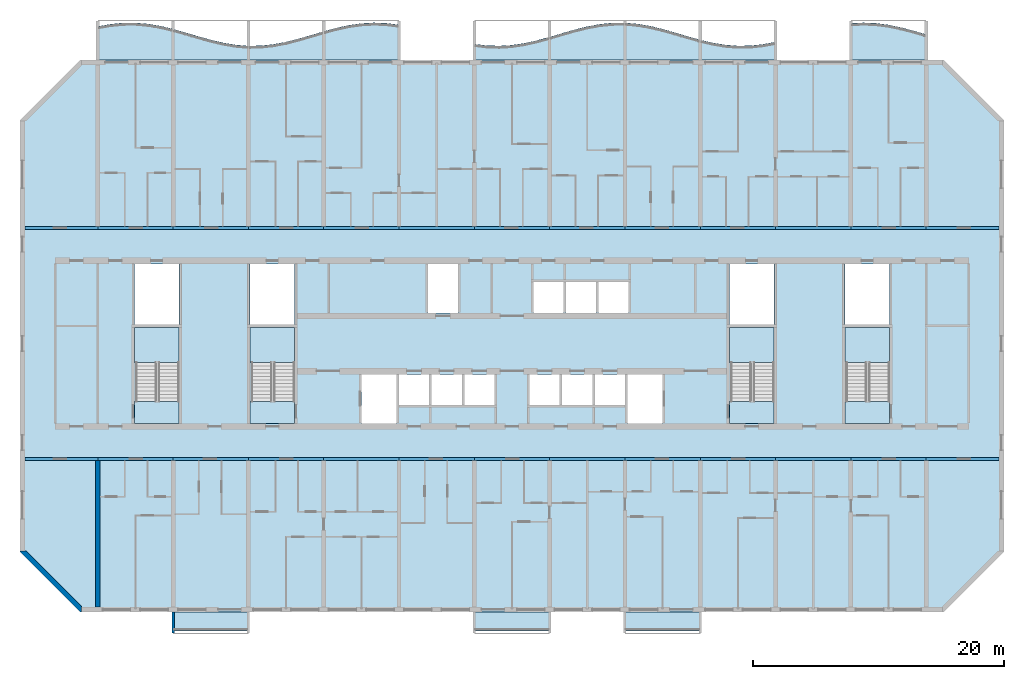
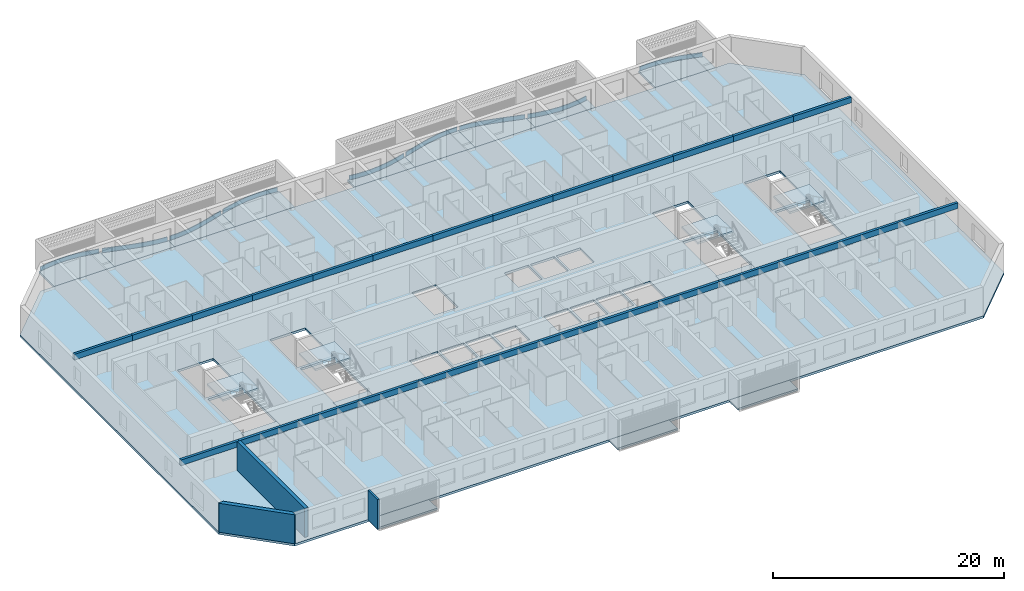
# One storey, part 1 of 24: 26 beams, 21 slabs, 9 plates, 3 walls, 4 elements without a shape of their own.
"""IFC4 building model written with IfcOpenShell, lengths in metres."""

from ifc_helpers import new_model, si_unit, direction, frame, frame_2d, origin, origin_2d, place, context, subcontext, project, spatial, polyline, rectangle, outline, extrude, source, transform, mapped, material, layer, layer_set, material_profile, profile_set, type_object, element, aggregate, save


model = new_model("IFC4")

# Units and contexts
model_context = context("Model", 3, precision=1e-05, world=origin(), true_north=direction((0.0, 1.0)))
body_context = subcontext(model_context, "Body", "Model", "MODEL_VIEW")
ifc_project = project(units=[si_unit("LENGTHUNIT", "METRE"), si_unit("AREAUNIT", "SQUARE_METRE"), si_unit("VOLUMEUNIT", "CUBIC_METRE"), si_unit("PLANEANGLEUNIT", "RADIAN"), si_unit("MASSUNIT", "GRAM", prefix="KILO")], contexts=[model_context])

# Site, building, storey
site_placement = place(None, origin())
site = spatial("IfcSite", under=ifc_project, at=site_placement, CompositionType="ELEMENT")
building_placement = place(site_placement, origin())
building = spatial("IfcBuilding", under=site, at=building_placement, Name="Poui Terraces", CompositionType="ELEMENT")
storey_placement = place(building_placement, frame((0.0, 0.0, 109.199951171875)))
storey = spatial("IfcBuildingStorey", under=building, at=storey_placement, Name="L30", CompositionType="ELEMENT", Elevation=109.199951171875)

# Beams
ifc_material_1 = material(Name="Concrete 65 MPa", Category="concrete")
ifc_material_profile = material_profile(ifc_material_1, rectangle(XDim=0.25, YDim=0.60009765625, at=origin_2d()), Name="RC 250x600")
ifc_profile_set = profile_set([ifc_material_profile], Name="Concrete 65 MPa")
beam_type = type_object("IfcBeamType", Name="COUPLING BEAM 250x600 65MPa", PredefinedType="BEAM", material=ifc_profile_set)
shared_shape_1 = source(origin(), body_context, "Body", "SweptSolid", [
    extrude(rectangle(XDim=0.25, YDim=0.60009765625, at=origin_2d()), origin(), (0.0, 0.0, 1.0), 5.800048828125),
])
for number, where, z_axis, x_axis, name in (
    (1, (12.199951171875, 12.0, 2.760009765625), (1.0, 0.0, 0.0), (0.0, 1.0, 0.0), "COUPLING BEAM LINE B BAY 1"),
    (2, (84.0, 12.0, 2.760009765625), (1.0, 0.0, 0.0), (0.0, 1.0, 0.0), "COUPLING BEAM LINE B BAY 13"),
    (3, (12.199951171875, 30.39990234375, 2.760009765625), (1.0, 0.0, 0.0), (0.0, 1.0, 0.0), "COUPLING BEAM LINE E BAY 1"),
    (4, (84.0, 30.39990234375, 2.760009765625), (1.0, 0.0, 0.0), (0.0, 1.0, 0.0), "COUPLING BEAM LINE E BAY 13"),
):
    element("IfcBeam", number, at=place(storey_placement, frame(where, z_axis=z_axis, x_axis=x_axis)), inside=storey, type_object=beam_type, Name=name, PredefinedType="BEAM", context=body_context, shape_type="MappedRepresentation", body=[
        mapped(shared_shape_1, transform((0.0, 0.0, 0.0))),
    ])
shared_shape_2 = source(origin(), body_context, "Body", "SweptSolid", [
    extrude(rectangle(XDim=0.25, YDim=0.60009765625, at=origin_2d()), origin(), (0.0, 0.0, 1.0), 6.0),
])
for number, where, z_axis, x_axis, name in (
    (5, (18.0, 12.0, 2.760009765625), (1.0, 0.0, 0.0), (0.0, 1.0, 0.0), "COUPLING BEAM LINE B BAY 2"),
    (6, (24.0, 12.0, 2.760009765625), (1.0, 0.0, 0.0), (0.0, 1.0, 0.0), "COUPLING BEAM LINE B BAY 3"),
    (7, (30.0, 12.0, 2.760009765625), (1.0, 0.0, 0.0), (0.0, 1.0, 0.0), "COUPLING BEAM LINE B BAY 4"),
    (8, (36.0, 12.0, 2.760009765625), (1.0, 0.0, 0.0), (0.0, 1.0, 0.0), "COUPLING BEAM LINE B BAY 5"),
    (9, (42.0, 12.0, 2.760009765625), (1.0, 0.0, 0.0), (0.0, 1.0, 0.0), "COUPLING BEAM LINE B BAY 6"),
    (10, (48.0, 12.0, 2.760009765625), (1.0, 0.0, 0.0), (0.0, 1.0, 0.0), "COUPLING BEAM LINE B BAY 7"),
    (11, (54.0, 12.0, 2.760009765625), (1.0, 0.0, 0.0), (0.0, 1.0, 0.0), "COUPLING BEAM LINE B BAY 8"),
    (12, (60.0, 12.0, 2.760009765625), (1.0, 0.0, 0.0), (0.0, 1.0, 0.0), "COUPLING BEAM LINE B BAY 9"),
    (13, (66.0, 12.0, 2.760009765625), (1.0, 0.0, 0.0), (0.0, 1.0, 0.0), "COUPLING BEAM LINE B BAY 10"),
    (14, (72.0, 12.0, 2.760009765625), (1.0, 0.0, 0.0), (0.0, 1.0, 0.0), "COUPLING BEAM LINE B BAY 11"),
    (15, (78.0, 12.0, 2.760009765625), (1.0, 0.0, 0.0), (0.0, 1.0, 0.0), "COUPLING BEAM LINE B BAY 12"),
    (16, (18.0, 30.39990234375, 2.760009765625), (1.0, 0.0, 0.0), (0.0, 1.0, 0.0), "COUPLING BEAM LINE E BAY 2"),
    (17, (24.0, 30.39990234375, 2.760009765625), (1.0, 0.0, 0.0), (0.0, 1.0, 0.0), "COUPLING BEAM LINE E BAY 3"),
    (18, (30.0, 30.39990234375, 2.760009765625), (1.0, 0.0, 0.0), (0.0, 1.0, 0.0), "COUPLING BEAM LINE E BAY 4"),
    (19, (36.0, 30.39990234375, 2.760009765625), (1.0, 0.0, 0.0), (0.0, 1.0, 0.0), "COUPLING BEAM LINE E BAY 5"),
    (20, (42.0, 30.39990234375, 2.760009765625), (1.0, 0.0, 0.0), (0.0, 1.0, 0.0), "COUPLING BEAM LINE E BAY 6"),
    (21, (48.0, 30.39990234375, 2.760009765625), (1.0, 0.0, 0.0), (0.0, 1.0, 0.0), "COUPLING BEAM LINE E BAY 7"),
    (22, (54.0, 30.39990234375, 2.760009765625), (1.0, 0.0, 0.0), (0.0, 1.0, 0.0), "COUPLING BEAM LINE E BAY 8"),
    (23, (60.0, 30.39990234375, 2.760009765625), (1.0, 0.0, 0.0), (0.0, 1.0, 0.0), "COUPLING BEAM LINE E BAY 9"),
    (24, (66.0, 30.39990234375, 2.760009765625), (1.0, 0.0, 0.0), (0.0, 1.0, 0.0), "COUPLING BEAM LINE E BAY 10"),
    (25, (72.0, 30.39990234375, 2.760009765625), (1.0, 0.0, 0.0), (0.0, 1.0, 0.0), "COUPLING BEAM LINE E BAY 11"),
    (26, (78.0, 30.39990234375, 2.760009765625), (1.0, 0.0, 0.0), (0.0, 1.0, 0.0), "COUPLING BEAM LINE E BAY 12"),
):
    element("IfcBeam", number, at=place(storey_placement, frame(where, z_axis=z_axis, x_axis=x_axis)), inside=storey, type_object=beam_type, Name=name, PredefinedType="BEAM", context=body_context, shape_type="MappedRepresentation", body=[
        mapped(shared_shape_2, transform((0.0, 0.0, 0.0))),
    ])

# Slabs
ifc_material_2 = material(Name="Precast concrete 40 MPa", Category="concrete")
ifc_layer_1 = layer(ifc_material_2, 0.199951171875)
ifc_layer_set_1 = layer_set([ifc_layer_1], Name="Precast concrete 40 MPa")
slab_type_1 = type_object("IfcSlabType", Name="BALCONY SLAB 200", PredefinedType="FLOOR", material=ifc_layer_set_1)
slab_1_placement = place(storey_placement, frame((0.0, 0.0, -0.199951171875)))
element("IfcSlab", 27, at=slab_1_placement, inside=storey, type_object=slab_type_1, Name="BALCONY SLAB", PredefinedType="FLOOR", context=body_context, shape_type="SweptSolid", body=[
    extrude(outline(polyline([(18.0, 43.800048828125), (24.0, 43.800048828125), (24.0, 46.243896484375), (23.0, 46.4833984375), (22.0, 46.6552734375), (21.0, 46.74169921875), (20.0, 46.733642578125), (19.0, 46.632080078125), (18.0, 46.447509765625), (18.0, 43.800048828125)])), origin(), (0.0, 0.0, 1.0), 0.199951171875),
])
slab_2_placement = place(storey_placement, frame((0.0, 0.0, -0.199951171875)))
element("IfcSlab", 28, at=slab_2_placement, inside=storey, type_object=slab_type_1, Name="BALCONY SLAB", PredefinedType="FLOOR", context=body_context, shape_type="SweptSolid", body=[
    extrude(outline(polyline([(24.0, 43.800048828125), (30.0, 43.800048828125), (30.0, 44.9052734375), (29.0, 44.984130859375), (28.0, 45.1494140625), (27.0, 45.38427734375), (26.0, 45.664306640625), (25.0, 45.961181640625), (24.0, 46.243896484375), (24.0, 43.800048828125)])), origin(), (0.0, 0.0, 1.0), 0.199951171875),
])
slab_3_placement = place(storey_placement, frame((0.0, 0.0, -0.199951171875)))
element("IfcSlab", 29, at=slab_3_placement, inside=storey, type_object=slab_type_1, Name="BALCONY SLAB", PredefinedType="FLOOR", context=body_context, shape_type="SweptSolid", body=[
    extrude(outline(polyline([(30.0, 43.800048828125), (36.0, 43.800048828125), (36.0, 46.058349609375), (35.0, 45.762939453125), (34.0, 45.473876953125), (33.0, 45.220947265625), (32.0, 45.0302734375), (31.0, 44.92138671875), (30.0, 44.9052734375), (30.0, 43.800048828125)])), origin(), (0.0, 0.0, 1.0), 0.199951171875),
])
slab_4_placement = place(storey_placement, frame((0.0, 0.0, -0.199951171875)))
element("IfcSlab", 30, at=slab_4_placement, inside=storey, type_object=slab_type_1, Name="BALCONY SLAB", PredefinedType="FLOOR", context=body_context, shape_type="SweptSolid", body=[
    extrude(outline(polyline([(36.0, 43.800048828125), (42.0, 43.800048828125), (42.0, 46.5791015625), (41.0, 46.7099609375), (40.0, 46.749755859375), (39.0, 46.694091796875), (38.0, 46.54931640625), (37.0, 46.329833984375), (36.0, 46.058349609375), (36.0, 43.800048828125)])), origin(), (0.0, 0.0, 1.0), 0.199951171875),
])
slab_5_placement = place(storey_placement, frame((0.0, 0.0, -0.199951171875)))
element("IfcSlab", 31, at=slab_5_placement, inside=storey, type_object=slab_type_1, Name="BALCONY SLAB", PredefinedType="FLOOR", context=body_context, shape_type="SweptSolid", body=[
    extrude(outline(polyline([(48.0, 43.800048828125), (54.0, 43.800048828125), (54.0, 45.61572265625), (53.0, 45.34130859375), (52.0, 45.116455078125), (51.0, 44.964599609375), (50.0, 44.9013671875), (49.0, 44.93310546875), (48.0, 45.056884765625), (48.0, 43.800048828125)])), origin(), (0.0, 0.0, 1.0), 0.199951171875),
])
slab_6_placement = place(storey_placement, frame((0.0, 0.0, -0.199951171875)))
element("IfcSlab", 32, at=slab_6_placement, inside=storey, type_object=slab_type_1, Name="BALCONY SLAB", PredefinedType="FLOOR", context=body_context, shape_type="SweptSolid", body=[
    extrude(outline(polyline([(54.0, 43.800048828125), (60.0, 43.800048828125), (60.0, 46.74169921875), (59.0, 46.733642578125), (58.0, 46.632080078125), (57.0, 46.447509765625), (56.0, 46.198974609375), (55.0, 45.911865234375), (54.0, 45.61572265625), (54.0, 43.800048828125)])), origin(), (0.0, 0.0, 1.0), 0.199951171875),
])
slab_7_placement = place(storey_placement, frame((0.0, 0.0, -0.199951171875)))
element("IfcSlab", 33, at=slab_7_placement, inside=storey, type_object=slab_type_1, Name="BALCONY SLAB", PredefinedType="FLOOR", context=body_context, shape_type="SweptSolid", body=[
    extrude(outline(polyline([(60.0, 43.800048828125), (66.0, 43.800048828125), (66.0, 45.38427734375), (65.0, 45.664306640625), (64.0, 45.961181640625), (63.0, 46.243896484375), (62.0, 46.4833984375), (61.0, 46.6552734375), (60.0, 46.74169921875), (60.0, 43.800048828125)])), origin(), (0.0, 0.0, 1.0), 0.199951171875),
])
slab_8_placement = place(storey_placement, frame((0.0, 0.0, -0.199951171875)))
element("IfcSlab", 34, at=slab_8_placement, inside=storey, type_object=slab_type_1, Name="BALCONY SLAB", PredefinedType="FLOOR", context=body_context, shape_type="SweptSolid", body=[
    extrude(outline(polyline([(66.0, 43.800048828125), (72.0, 43.800048828125), (72.0, 45.220947265625), (71.0, 45.0302734375), (70.0, 44.92138671875), (69.0, 44.9052734375), (68.0, 44.984130859375), (67.0, 45.1494140625), (66.0, 45.38427734375), (66.0, 43.800048828125)])), origin(), (0.0, 0.0, 1.0), 0.199951171875),
])
slab_9_placement = place(storey_placement, frame((0.0, 0.0, -0.199951171875)))
element("IfcSlab", 35, at=slab_9_placement, inside=storey, type_object=slab_type_1, Name="BALCONY SLAB", PredefinedType="FLOOR", context=body_context, shape_type="SweptSolid", body=[
    extrude(outline(polyline([(78.0, 43.800048828125), (84.0, 43.800048828125), (84.0, 45.8125), (83.0, 46.106201171875), (82.0, 46.37060546875), (81.0, 46.5791015625), (80.0, 46.7099609375), (79.0, 46.749755859375), (78.0, 46.694091796875), (78.0, 43.800048828125)])), origin(), (0.0, 0.0, 1.0), 0.199951171875),
])

# Stair, slabs
stair_type = type_object("IfcStairType", Name="EXIT STAIR 1650 65 MPA", PredefinedType="HALF_TURN_STAIR", material=ifc_material_1)
stair_1_placement = place(storey_placement, origin())
stair_1 = element("IfcStair", 36, at=stair_1_placement, inside=storey, type_object=stair_type, Name="L30 CORE STAIR EAST", PredefinedType="HALF_TURN_STAIR")
ifc_layer_2 = layer(ifc_material_1, 0.199951171875)
ifc_layer_set_2 = layer_set([ifc_layer_2], Name="Concrete 65 MPa")
slab_type_2 = type_object("IfcSlabType", Name="STAIR LANDING 200 65 MPA", PredefinedType="LANDING", material=ifc_layer_set_2)
slab_10_placement = place(storey_placement, frame((0.0, 0.0, 1.449951171875)))
slab_10 = element("IfcSlab", 37, at=slab_10_placement, type_object=slab_type_2, Name="ST-CE landing 1", PredefinedType="LANDING", context=body_context, shape_type="SweptSolid", body=[
    extrude(outline(polyline([(68.324951171875, 19.679931640625), (71.875, 19.679931640625), (71.875, 22.47509765625), (68.324951171875, 22.47509765625), (68.324951171875, 19.679931640625)])), origin(), (0.0, 0.0, 1.0), 0.2001953125),
])
slab_11_placement = place(storey_placement, frame((0.0, 0.0, -0.199951171875)))
slab_11 = element("IfcSlab", 38, at=slab_11_placement, type_object=slab_type_2, Name="ST-CE landing 2", PredefinedType="LANDING", context=body_context, shape_type="SweptSolid", body=[
    extrude(outline(polyline([(68.324951171875, 14.85009765625), (71.875, 14.85009765625), (71.875, 16.60009765625), (68.324951171875, 16.60009765625), (68.324951171875, 14.85009765625)])), origin(), (0.0, 0.0, 1.0), 0.199951171875),
])
aggregate(stair_1, [slab_10, slab_11])

stair_2_placement = place(storey_placement, origin())
stair_2 = element("IfcStair", 39, at=stair_2_placement, inside=storey, type_object=stair_type, Name="L30 CORE STAIR WEST", PredefinedType="HALF_TURN_STAIR")
slab_12_placement = place(storey_placement, frame((0.0, 0.0, 1.449951171875)))
slab_12 = element("IfcSlab", 40, at=slab_12_placement, type_object=slab_type_2, Name="ST-CW landing 1", PredefinedType="LANDING", context=body_context, shape_type="SweptSolid", body=[
    extrude(outline(polyline([(30.125, 19.679931640625), (33.675048828125, 19.679931640625), (33.675048828125, 22.47509765625), (30.125, 22.47509765625), (30.125, 19.679931640625)])), origin(), (0.0, 0.0, 1.0), 0.2001953125),
])
slab_13_placement = place(storey_placement, frame((0.0, 0.0, -0.199951171875)))
slab_13 = element("IfcSlab", 41, at=slab_13_placement, type_object=slab_type_2, Name="ST-CW landing 2", PredefinedType="LANDING", context=body_context, shape_type="SweptSolid", body=[
    extrude(outline(polyline([(30.125, 14.85009765625), (33.675048828125, 14.85009765625), (33.675048828125, 16.60009765625), (30.125, 16.60009765625), (30.125, 14.85009765625)])), origin(), (0.0, 0.0, 1.0), 0.199951171875),
])
aggregate(stair_2, [slab_12, slab_13])

stair_3_placement = place(storey_placement, origin())
stair_3 = element("IfcStair", 42, at=stair_3_placement, inside=storey, type_object=stair_type, Name="L30 TIP STAIR EAST", PredefinedType="HALF_TURN_STAIR")
slab_14_placement = place(storey_placement, frame((0.0, 0.0, 1.449951171875)))
slab_14 = element("IfcSlab", 43, at=slab_14_placement, type_object=slab_type_2, Name="ST-E landing 1", PredefinedType="LANDING", context=body_context, shape_type="SweptSolid", body=[
    extrude(outline(polyline([(77.52490234375, 19.679931640625), (81.074951171875, 19.679931640625), (81.074951171875, 22.47509765625), (77.52490234375, 22.47509765625), (77.52490234375, 19.679931640625)])), origin(), (0.0, 0.0, 1.0), 0.2001953125),
])
slab_15_placement = place(storey_placement, frame((0.0, 0.0, -0.199951171875)))
slab_15 = element("IfcSlab", 44, at=slab_15_placement, type_object=slab_type_2, Name="ST-E landing 2", PredefinedType="LANDING", context=body_context, shape_type="SweptSolid", body=[
    extrude(outline(polyline([(77.52490234375, 14.85009765625), (81.074951171875, 14.85009765625), (81.074951171875, 16.60009765625), (77.52490234375, 16.60009765625), (77.52490234375, 14.85009765625)])), origin(), (0.0, 0.0, 1.0), 0.199951171875),
])
aggregate(stair_3, [slab_14, slab_15])

stair_4_placement = place(storey_placement, origin())
stair_4 = element("IfcStair", 45, at=stair_4_placement, inside=storey, type_object=stair_type, Name="L30 TIP STAIR WEST", PredefinedType="HALF_TURN_STAIR")
slab_16_placement = place(storey_placement, frame((0.0, 0.0, 1.449951171875)))
slab_16 = element("IfcSlab", 46, at=slab_16_placement, type_object=slab_type_2, Name="ST-W landing 1", PredefinedType="LANDING", context=body_context, shape_type="SweptSolid", body=[
    extrude(outline(polyline([(20.925048828125, 19.679931640625), (24.47509765625, 19.679931640625), (24.47509765625, 22.47509765625), (20.925048828125, 22.47509765625), (20.925048828125, 19.679931640625)])), origin(), (0.0, 0.0, 1.0), 0.2001953125),
])
slab_17_placement = place(storey_placement, frame((0.0, 0.0, -0.199951171875)))
slab_17 = element("IfcSlab", 47, at=slab_17_placement, type_object=slab_type_2, Name="ST-W landing 2", PredefinedType="LANDING", context=body_context, shape_type="SweptSolid", body=[
    extrude(outline(polyline([(20.925048828125, 14.85009765625), (24.47509765625, 14.85009765625), (24.47509765625, 16.60009765625), (20.925048828125, 16.60009765625), (20.925048828125, 14.85009765625)])), origin(), (0.0, 0.0, 1.0), 0.199951171875),
])
aggregate(stair_4, [slab_16, slab_17])

# Plates
ifc_layer_3 = layer(ifc_material_2, 0.080078125)
ifc_layer_set_3 = layer_set([ifc_layer_3], Name="Precast concrete 40 MPa")
plate_type = type_object("IfcPlateType", Name="SUNSHADE UPSTAND 80", PredefinedType="SHEET", material=ifc_layer_set_3)
plate_1_placement = place(storey_placement, origin())
element("IfcPlate", 48, at=plate_1_placement, inside=storey, type_object=plate_type, Name="SUNSHADE UPSTAND", PredefinedType="SHEET", context=body_context, shape_type="SweptSolid", body=[
    extrude(outline(polyline([(18.994384765625, 46.626953125), (18.117919921875, 46.468994140625), (18.132080078125, 46.390380859375), (19.005615234375, 46.547607421875), (20.002197265625, 46.648681640625), (20.998291015625, 46.65673828125), (21.994873046875, 46.570556640625), (22.991943359375, 46.399169921875), (23.86572265625, 46.19287109375), (23.88427734375, 46.2705078125), (23.008056640625, 46.477783203125), (22.005126953125, 46.64990234375), (21.001708984375, 46.73681640625), (19.997802734375, 46.728759765625), (18.994384765625, 46.626953125)])), origin(), (0.0, 0.0, 1.0), 0.449951171875),
])
plate_2_placement = place(storey_placement, origin())
element("IfcPlate", 49, at=plate_2_placement, inside=storey, type_object=plate_type, Name="SUNSHADE UPSTAND", PredefinedType="SHEET", context=body_context, shape_type="SweptSolid", body=[
    extrude(outline(polyline([(25.01123046875, 45.95458984375), (24.135986328125, 46.203857421875), (24.114013671875, 46.126708984375), (24.98876953125, 45.877685546875), (25.989013671875, 45.580810546875), (26.989990234375, 45.30029296875), (27.9921875, 45.065185546875), (28.9951171875, 44.8994140625), (29.87158203125, 44.8251953125), (29.87841796875, 44.90478515625), (29.0048828125, 44.978759765625), (28.0078125, 45.1435546875), (27.010009765625, 45.3779296875), (26.010986328125, 45.65771484375), (25.01123046875, 45.95458984375)])), origin(), (0.0, 0.0, 1.0), 0.449951171875),
])
plate_3_placement = place(storey_placement, origin())
element("IfcPlate", 50, at=plate_3_placement, inside=storey, type_object=plate_type, Name="SUNSHADE UPSTAND", PredefinedType="SHEET", context=body_context, shape_type="SweptSolid", body=[
    extrude(outline(polyline([(30.997314453125, 44.916259765625), (30.1240234375, 44.897216796875), (30.1259765625, 44.817138671875), (31.002685546875, 44.836181640625), (32.005859375, 44.945556640625), (33.0087890625, 45.136962890625), (34.010498046875, 45.390380859375), (35.01123046875, 45.6796875), (35.886474609375, 45.938720703125), (35.863525390625, 46.015380859375), (34.98876953125, 45.75634765625), (33.989501953125, 45.467529296875), (32.9912109375, 45.215087890625), (31.994140625, 45.02490234375), (30.997314453125, 44.916259765625)])), origin(), (0.0, 0.0, 1.0), 0.449951171875),
])
plate_4_placement = place(storey_placement, origin())
element("IfcPlate", 51, at=plate_4_placement, inside=storey, type_object=plate_type, Name="SUNSHADE UPSTAND", PredefinedType="SHEET", context=body_context, shape_type="SweptSolid", body=[
    extrude(outline(polyline([(36.990478515625, 46.32373046875), (36.114501953125, 46.087890625), (36.135498046875, 46.010498046875), (37.009521484375, 46.24609375), (38.007080078125, 46.46484375), (39.00390625, 46.609375), (40.000244140625, 46.66455078125), (40.99658203125, 46.625), (41.8701171875, 46.515380859375), (41.8798828125, 46.5947265625), (41.00341796875, 46.704833984375), (39.999755859375, 46.74462890625), (38.99609375, 46.689208984375), (37.992919921875, 46.543701171875), (36.990478515625, 46.32373046875)])), origin(), (0.0, 0.0, 1.0), 0.449951171875),
])
plate_5_placement = place(storey_placement, origin())
element("IfcPlate", 52, at=plate_5_placement, inside=storey, type_object=plate_type, Name="SUNSHADE UPSTAND", PredefinedType="SHEET", context=body_context, shape_type="SweptSolid", body=[
    extrude(outline(polyline([(49.0029296875, 44.927978515625), (48.129638671875, 45.031494140625), (48.120361328125, 44.951904296875), (48.9970703125, 44.84814453125), (50.00048828125, 44.81640625), (51.00439453125, 44.8798828125), (52.00732421875, 45.031982421875), (53.009521484375, 45.25732421875), (53.885498046875, 45.49609375), (53.864501953125, 45.5732421875), (52.990478515625, 45.3349609375), (51.99267578125, 45.110595703125), (50.99560546875, 44.95947265625), (49.99951171875, 44.896484375), (49.0029296875, 44.927978515625)])), origin(), (0.0, 0.0, 1.0), 0.449951171875),
])
plate_6_placement = place(storey_placement, origin())
element("IfcPlate", 53, at=plate_6_placement, inside=storey, type_object=plate_type, Name="SUNSHADE UPSTAND", PredefinedType="SHEET", context=body_context, shape_type="SweptSolid", body=[
    extrude(outline(polyline([(54.98876953125, 45.9052734375), (54.113525390625, 45.6455078125), (54.136474609375, 45.56884765625), (55.01123046875, 45.828369140625), (56.01025390625, 46.115234375), (57.008544921875, 46.363525390625), (58.005615234375, 46.547607421875), (59.002197265625, 46.648681640625), (59.87548828125, 46.660888671875), (59.87451171875, 46.74072265625), (59.834716796875, 46.740478515625), (58.997802734375, 46.728759765625), (57.994384765625, 46.626708984375), (56.991455078125, 46.441650390625), (55.98974609375, 46.192626953125), (54.98876953125, 45.9052734375)])), origin(), (0.0, 0.0, 1.0), 0.449951171875),
])
plate_7_placement = place(storey_placement, origin())
element("IfcPlate", 54, at=plate_7_placement, inside=storey, type_object=plate_type, Name="SUNSHADE UPSTAND", PredefinedType="SHEET", context=body_context, shape_type="SweptSolid", body=[
    extrude(outline(polyline([(61.005126953125, 46.64990234375), (60.166259765625, 46.727294921875), (60.128662109375, 46.730712890625), (60.121337890625, 46.651123046875), (60.994873046875, 46.570556640625), (61.991943359375, 46.399169921875), (62.989990234375, 46.16015625), (63.989013671875, 45.877685546875), (64.989013671875, 45.5810546875), (65.864013671875, 45.333740234375), (65.885986328125, 45.410888671875), (65.010986328125, 45.65771484375), (64.010986328125, 45.95458984375), (63.010009765625, 46.237548828125), (62.008056640625, 46.477783203125), (61.005126953125, 46.64990234375)])), origin(), (0.0, 0.0, 1.0), 0.449951171875),
])
plate_8_placement = place(storey_placement, origin())
element("IfcPlate", 55, at=plate_8_placement, inside=storey, type_object=plate_type, Name="SUNSHADE UPSTAND", PredefinedType="SHEET", context=body_context, shape_type="SweptSolid", body=[
    extrude(outline(polyline([(67.0078125, 45.1435546875), (66.134033203125, 45.345703125), (66.115966796875, 45.267822265625), (66.9921875, 45.065185546875), (67.9951171875, 44.8994140625), (68.998779296875, 44.8203125), (70.00244140625, 44.836181640625), (71.005859375, 44.945556640625), (71.88232421875, 45.10888671875), (71.86767578125, 45.1875), (70.994140625, 45.02490234375), (69.99755859375, 44.916259765625), (69.001220703125, 44.900390625), (68.0048828125, 44.978759765625), (67.0078125, 45.1435546875)])), origin(), (0.0, 0.0, 1.0), 0.449951171875),
])
plate_9_placement = place(storey_placement, origin())
element("IfcPlate", 56, at=plate_9_placement, inside=storey, type_object=plate_type, Name="SUNSHADE UPSTAND", PredefinedType="SHEET", context=body_context, shape_type="SweptSolid", body=[
    extrude(outline(polyline([(78.999755859375, 46.74462890625), (78.15087890625, 46.70263671875), (78.123046875, 46.700927734375), (78.126953125, 46.621337890625), (79.000244140625, 46.66455078125), (79.99658203125, 46.625), (80.993408203125, 46.49462890625), (81.99072265625, 46.286865234375), (82.9892578125, 46.022705078125), (83.86376953125, 45.766357421875), (83.88623046875, 45.84326171875), (83.0107421875, 46.099609375), (82.00927734375, 46.36474609375), (81.006591796875, 46.573486328125), (80.00341796875, 46.704833984375), (78.999755859375, 46.74462890625)])), origin(), (0.0, 0.0, 1.0), 0.449951171875),
])

# Slabs
ifc_material_3 = material(Name="Concrete 40 MPa", Category="concrete")
ifc_layer_4 = layer(ifc_material_3, 0.239990234375)
ifc_layer_set_4 = layer_set([ifc_layer_4], Name="Concrete 40 MPa")
slab_type_3 = type_object("IfcSlabType", Name="FLOOR SLAB 240", PredefinedType="FLOOR", material=ifc_layer_set_4)
shared_shape_3 = source(origin(), body_context, "Body", "SweptSolid", [
    extrude(outline(polyline([(0.0, 0.0), (4.800048828125, -4.800048828125), (73.599853515625, -4.800048828125), (78.39990234375, 0.0), (78.39990234375, 34.39990234375), (73.599853515625, 39.199951171875), (4.800048828125, 39.199951171875), (0.0, 34.39990234375), (0.0, 0.0)]), holes=[polyline([(27.199951171875, 10.25), (27.199951171875, 14.14990234375), (30.0, 14.14990234375), (30.0, 10.25), (27.199951171875, 10.25)]), polyline([(30.199951171875, 11.699951171875), (30.199951171875, 14.14990234375), (32.599853515625, 14.14990234375), (32.599853515625, 11.699951171875), (30.199951171875, 11.699951171875)]), polyline([(32.800048828125, 11.699951171875), (32.800048828125, 14.14990234375), (35.199951171875, 14.14990234375), (35.199951171875, 11.699951171875), (32.800048828125, 11.699951171875)]), polyline([(35.39990234375, 14.14990234375), (37.800048828125, 14.14990234375), (37.800048828125, 11.699951171875), (35.39990234375, 11.699951171875), (35.39990234375, 14.14990234375)]), polyline([(40.599853515625, 14.14990234375), (43.0, 14.14990234375), (43.0, 11.699951171875), (40.599853515625, 11.699951171875), (40.599853515625, 14.14990234375)]), polyline([(9.224853515625, 17.849853515625), (12.675048828125, 17.849853515625), (12.675048828125, 12.0), (12.675048828125, 10.25), (9.125, 10.25), (9.125, 12.0), (9.224853515625, 12.0), (9.224853515625, 17.849853515625)]), polyline([(18.425048828125, 17.849853515625), (21.875, 17.849853515625), (21.875, 12.0), (21.875, 10.25), (18.324951171875, 10.25), (18.324951171875, 12.0), (18.425048828125, 12.0), (18.425048828125, 17.849853515625)]), polyline([(9.125, 18.125), (9.125, 22.949951171875), (12.675048828125, 22.949951171875), (12.675048828125, 18.125), (9.125, 18.125)]), polyline([(18.324951171875, 22.949951171875), (21.875, 22.949951171875), (21.875, 18.125), (18.324951171875, 18.125), (18.324951171875, 22.949951171875)]), polyline([(32.5, 22.949951171875), (34.89990234375, 22.949951171875), (34.89990234375, 19.0498046875), (32.5, 19.0498046875), (32.5, 22.949951171875)]), polyline([(48.39990234375, 10.25), (48.39990234375, 14.14990234375), (51.199951171875, 14.14990234375), (51.199951171875, 10.25), (48.39990234375, 10.25)]), polyline([(43.199951171875, 11.699951171875), (43.199951171875, 14.14990234375), (45.599853515625, 14.14990234375), (45.599853515625, 11.699951171875), (43.199951171875, 11.699951171875)]), polyline([(45.800048828125, 11.699951171875), (45.800048828125, 14.14990234375), (48.199951171875, 14.14990234375), (48.199951171875, 11.699951171875), (45.800048828125, 11.699951171875)]), polyline([(60.074951171875, 17.849853515625), (60.074951171875, 12.0), (60.074951171875, 10.25), (56.52490234375, 10.25), (56.52490234375, 12.0), (56.625, 12.0), (56.625, 17.849853515625), (60.074951171875, 17.849853515625)]), polyline([(69.27490234375, 17.849853515625), (69.27490234375, 12.0), (69.27490234375, 10.25), (65.724853515625, 10.25), (65.724853515625, 12.0), (65.824951171875, 12.0), (65.824951171875, 17.849853515625), (69.27490234375, 17.849853515625)]), polyline([(40.89990234375, 19.0498046875), (40.89990234375, 21.5), (43.300048828125, 21.5), (43.300048828125, 19.0498046875), (40.89990234375, 19.0498046875)]), polyline([(43.5, 19.0498046875), (43.5, 21.5), (45.89990234375, 21.5), (45.89990234375, 19.0498046875), (43.5, 19.0498046875)]), polyline([(46.099853515625, 19.0498046875), (46.099853515625, 21.5), (48.5, 21.5), (48.5, 19.0498046875), (46.099853515625, 19.0498046875)]), polyline([(56.52490234375, 22.949951171875), (60.074951171875, 22.949951171875), (60.074951171875, 18.125), (56.52490234375, 18.125), (56.52490234375, 22.949951171875)]), polyline([(65.724853515625, 22.949951171875), (69.27490234375, 22.949951171875), (69.27490234375, 18.125), (65.724853515625, 18.125), (65.724853515625, 22.949951171875)])]), origin(), (0.0, 0.0, 1.0), 0.239990234375),
])
slab_18_placement = place(storey_placement, frame((11.800048828125, 4.60009765625, -0.239990234375)))
element("IfcSlab", 57, at=slab_18_placement, inside=storey, type_object=slab_type_3, Name="FLOOR SLAB", PredefinedType="FLOOR", context=body_context, shape_type="MappedRepresentation", body=[
    mapped(shared_shape_3, transform((0.0, 0.0, 0.0))),
])
ifc_layer_5 = layer(ifc_material_2, 0.199951171875)
ifc_layer_set_5 = layer_set([ifc_layer_5], Name="Precast concrete 40 MPa")
slab_type_4 = type_object("IfcSlabType", Name="REAR BALCONY SLAB 200", PredefinedType="FLOOR", material=ifc_layer_set_5)
shared_shape_4 = source(origin(), body_context, "Body", "SweptSolid", [
    extrude(outline(polyline([(0.0, 0.0), (6.0, 0.0), (6.0, 1.5), (0.0, 1.5), (0.0, 0.0)])), origin(), (0.0, 0.0, 1.0), 0.199951171875),
])
for number, where, name in (
    (58, (24.0, -1.699951171875, -0.199951171875), "REAR BALCONY SLAB"),
    (59, (48.0, -1.699951171875, -0.199951171875), "REAR BALCONY SLAB"),
    (60, (60.0, -1.699951171875, -0.199951171875), "REAR BALCONY SLAB"),
):
    element("IfcSlab", number, at=place(storey_placement, frame(where)), inside=storey, type_object=slab_type_4, Name=name, PredefinedType="FLOOR", context=body_context, shape_type="MappedRepresentation", body=[
        mapped(shared_shape_4, transform((0.0, 0.0, 0.0))),
    ])

# Walls
ifc_layer_6 = layer(ifc_material_1, 0.35009765625)
ifc_layer_set_6 = layer_set([ifc_layer_6], Name="Concrete 65 MPa")
wall_type_1 = type_object("IfcWallType", Name="CROSS WALL 350 65MPa", PredefinedType="SHEAR", material=ifc_layer_set_6)
wall_1_placement = place(storey_placement, frame((18.0, 0.199951171875, 0.0), z_axis=(0.0, 0.0, 1.0), x_axis=(0.0, 1.0, 0.0)))
element("IfcWall", 61, at=wall_1_placement, inside=storey, type_object=wall_type_1, Name="CROSS WALL LINE 4 SOUTH", PredefinedType="SHEAR", context=body_context, shape_type="SweptSolid", body=[
    extrude(rectangle(XDim=11.675048828125, YDim=0.35009765625, at=frame_2d((5.83740234375, 0.0))), origin(), (0.0, 0.0, 1.0), 3.06005859375),
])
ifc_layer_7 = layer(ifc_material_2, 0.39990234375)
ifc_layer_set_7 = layer_set([ifc_layer_7], Name="Precast concrete 40 MPa")
wall_type_2 = type_object("IfcWallType", Name="TERRACOTTA CLAD CHAMFER WALL 400", PredefinedType="STANDARD", material=ifc_layer_set_7)
wall_2_placement = place(storey_placement, origin())
element("IfcWall", 62, at=wall_2_placement, inside=storey, type_object=wall_type_2, Name="CHAMFER WALL CH07", PredefinedType="STANDARD", context=body_context, shape_type="SweptSolid", body=[
    extrude(outline(polyline([(11.800048828125, 4.682861328125), (11.800048828125, 4.60009765625), (16.60009765625, -0.199951171875), (16.682861328125, -0.199951171875), (16.682861328125, 0.28271484375), (12.28271484375, 4.682861328125), (11.800048828125, 4.682861328125)])), origin(), (0.0, 0.0, 1.0), 3.06005859375),
])
ifc_layer_8 = layer(ifc_material_2, 0.199951171875)
ifc_layer_set_8 = layer_set([ifc_layer_8], Name="Precast concrete 40 MPa")
wall_type_3 = type_object("IfcWallType", Name="REAR FIN 200", PredefinedType="STANDARD", material=ifc_layer_set_8)
shared_shape_5 = source(origin(), body_context, "Body", "SweptSolid", [
    extrude(outline(polyline([(0.0, 0.0), (0.2001953125, 0.0), (0.2001953125, 1.650146484375), (0.0, 1.650146484375), (0.0, 0.0)])), origin(), (0.0, 0.0, 1.0), 3.10009765625),
])
wall_3_placement = place(storey_placement, frame((23.89990234375, -1.85009765625, 0.0)))
element("IfcWall", 63, at=wall_3_placement, inside=storey, type_object=wall_type_3, Name="REAR FIN", PredefinedType="STANDARD", context=body_context, shape_type="MappedRepresentation", body=[
    mapped(shared_shape_5, transform((0.0, 0.0, 0.0))),
])

save(model, "model.ifc")
